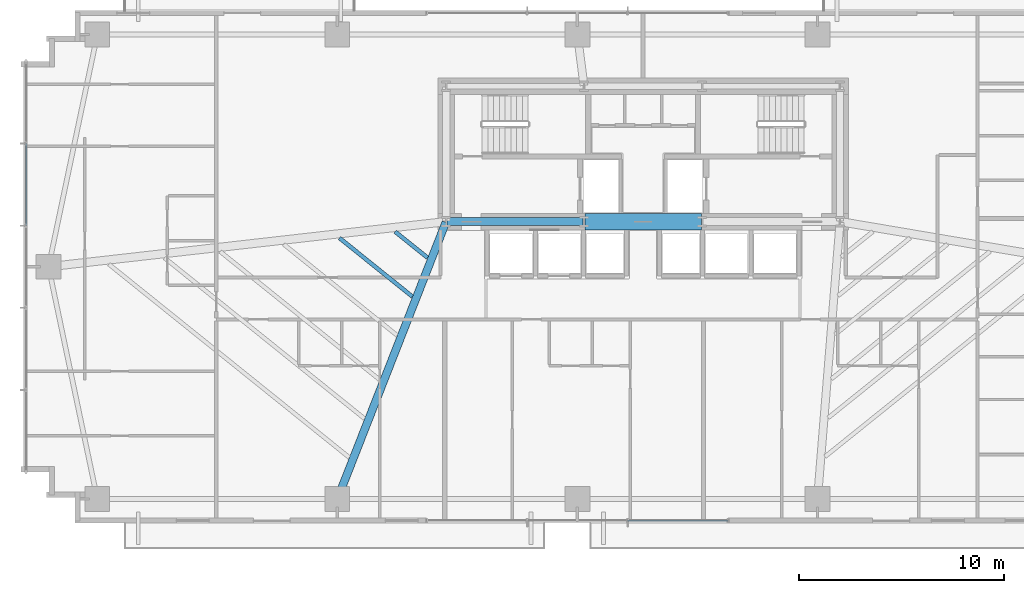
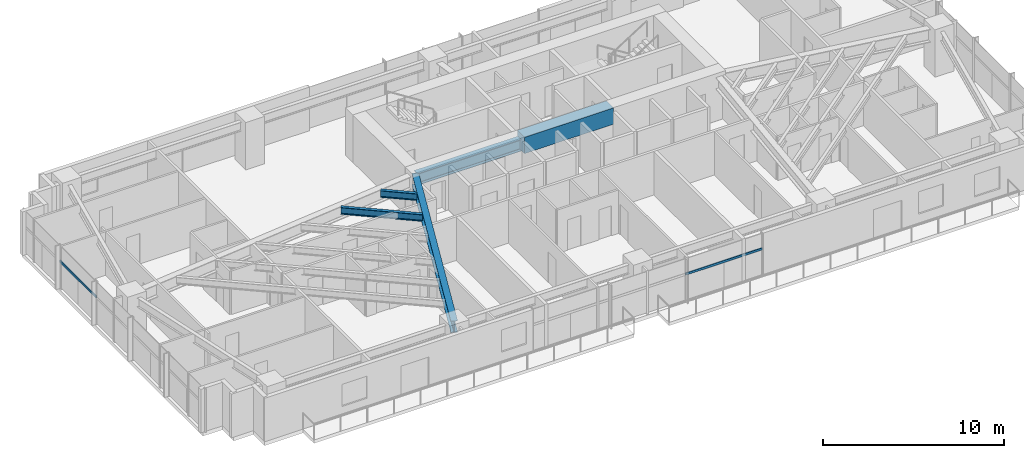
# One storey, part 7 of 25: 5 beams, 2 members, 2 elements without a shape of their own.
"""IFC4 building model written with IfcOpenShell, lengths in metres."""

from ifc_helpers import new_model, si_unit, direction, frame, origin, origin_2d, place, context, subcontext, project, spatial, rectangle, hollow_rectangle, i_section, extrude, source, transform, mapped, material, material_profile, profile_set, type_object, type_shapes, element, aggregate, save


model = new_model("IFC4")

# Units and contexts
model_context = context("Model", 3, precision=1e-05, world=origin(), true_north=direction((0.0, 1.0)))
body_context = subcontext(model_context, "Body", "Model", "MODEL_VIEW")
ifc_project = project(units=[si_unit("LENGTHUNIT", "METRE"), si_unit("AREAUNIT", "SQUARE_METRE"), si_unit("VOLUMEUNIT", "CUBIC_METRE"), si_unit("PLANEANGLEUNIT", "RADIAN"), si_unit("MASSUNIT", "GRAM", prefix="KILO")], contexts=[model_context])

# Site, building, storey
site_placement = place(None, origin())
site = spatial("IfcSite", under=ifc_project, at=site_placement, CompositionType="ELEMENT")
building_placement = place(site_placement, origin())
building = spatial("IfcBuilding", under=site, at=building_placement, Name="Astriad Promenade Condominiums", CompositionType="ELEMENT")
storey_placement = place(building_placement, frame((0.0, 0.0, 42.199951171875)))
storey = spatial("IfcBuildingStorey", under=building, at=storey_placement, Name="L11", CompositionType="ELEMENT", Elevation=42.199951171875)

# Beams
ifc_material_1 = material(Name="Steel ASTM A992 Grade 50", Category="steel")
ifc_material_profile_1 = material_profile(ifc_material_1, i_section(OverallWidth=0.3837890625, OverallDepth=0.785888671875, WebThickness=0.019775390625, FlangeThickness=0.033447265625, FilletRadius=0.021484375, at=origin_2d()), Name="W30X211")
ifc_profile_set_1 = profile_set([ifc_material_profile_1], Name="Steel ASTM A992 Grade 50")
beam_type_1 = type_object("IfcBeamType", Name="STEEL FLOOR GIRDER W30X211", PredefinedType="BEAM", material=ifc_profile_set_1)
shared_shape_1 = source(origin(), body_context, "Body", "SweptSolid", [
    extrude(i_section(OverallWidth=0.3837890625, OverallDepth=0.785888671875, WebThickness=0.019775390625, FlangeThickness=0.033447265625, FilletRadius=0.021484375, at=origin_2d()), origin(), (0.0, 0.0, 1.0), 6.64013671875),
])
beam_1_placement = place(storey_placement, frame((26.43994140625, 17.39990234375, 2.547119140625), z_axis=(1.0, 0.0, 0.0), x_axis=(0.0, 1.0, 0.0)))
element("IfcBeam", 1, at=beam_1_placement, inside=storey, type_object=beam_type_1, Name="Core Ring Beam CG-S1-L11", PredefinedType="BEAM", context=body_context, shape_type="MappedRepresentation", body=[
    mapped(shared_shape_1, transform((0.0, 0.0, 0.0), scale=1.0)),
])
ifc_material_2 = material(Name="Concrete C80/95", Category="concrete")
ifc_material_profile_2 = material_profile(ifc_material_2, rectangle(XDim=0.800048828125, YDim=1.10009765625, at=origin_2d()), Name="RC-BM-800X1100")
ifc_profile_set_2 = profile_set([ifc_material_profile_2], Name="Concrete C80/95")
beam_type_2 = type_object("IfcBeamType", Name="CONCRETE CORE COUPLING LINTEL 800X1100", PredefinedType="LINTEL", material=ifc_profile_set_2)
shared_shape_2 = source(origin(), body_context, "Body", "SweptSolid", [
    extrude(rectangle(XDim=0.800048828125, YDim=1.10009765625, at=origin_2d()), origin(), (0.0, 0.0, 1.0), 5.68017578125),
])
type_shapes(beam_type_2, [shared_shape_2])
beam_2_placement = place(storey_placement, frame((33.159912109375, 17.39990234375, 2.630126953125), z_axis=(1.0, 0.0, 0.0), x_axis=(0.0, 1.0, 0.0)))
element("IfcBeam", 2, at=beam_2_placement, inside=storey, type_object=beam_type_2, Name="Core Ring Beam CG-S2-L11", PredefinedType="LINTEL", context=body_context, shape_type="MappedRepresentation", body=[
    mapped(shared_shape_2, transform((0.0, 0.0, 0.0), scale=1.0)),
])
shared_shape_3 = source(origin(), body_context, "Body", "SweptSolid", [
    extrude(i_section(OverallWidth=0.3837890625, OverallDepth=0.785888671875, WebThickness=0.019775390625, FlangeThickness=0.033447265625, FilletRadius=0.021484375, at=origin_2d()), origin(), (0.0, 0.0, 1.0), 14.44189453125),
])
type_shapes(beam_type_1, [shared_shape_1, shared_shape_3])
beam_3_placement = place(storey_placement, frame((21.114501953125, 3.917236328125, 2.547119140625), z_axis=(0.364981228757, 0.931014877784, 0.0), x_axis=(-0.931014877784, 0.364981228757, 0.0)))
element("IfcBeam", 3, at=beam_3_placement, inside=storey, type_object=beam_type_1, Name="Primary Floor Girder PG-W2-L11", PredefinedType="BEAM", context=body_context, shape_type="MappedRepresentation", body=[
    mapped(shared_shape_3, transform((0.0, 0.0, 0.0), scale=1.0)),
])
ifc_material_profile_3 = material_profile(ifc_material_1, i_section(OverallWidth=0.19287109375, OverallDepth=0.466064453125, WebThickness=0.011474609375, FlangeThickness=0.01904296875, FilletRadius=0.01513671875, at=origin_2d()), Name="W18X65")
ifc_profile_set_3 = profile_set([ifc_material_profile_3], Name="Steel ASTM A992 Grade 50")
beam_type_3 = type_object("IfcBeamType", Name="STEEL FLOOR JOIST W18X65", PredefinedType="JOIST", material=ifc_profile_set_3)
shared_shape_4 = source(origin(), body_context, "Body", "SweptSolid", [
    extrude(i_section(OverallWidth=0.19287109375, OverallDepth=0.466064453125, WebThickness=0.011474609375, FlangeThickness=0.01904296875, FilletRadius=0.01513671875, at=origin_2d()), origin(), (0.0, 0.0, 1.0), 4.555419921875),
])
beam_4_placement = place(storey_placement, frame((21.201416015625, 16.600830078125, 2.70703125), z_axis=(0.779365920634, -0.626569039894, 0.0), x_axis=(0.626569039894, 0.779365920634, 0.0)))
element("IfcBeam", 4, at=beam_4_placement, inside=storey, type_object=beam_type_3, Name="Secondary Composite Floor Joist JW1-5-L11", PredefinedType="JOIST", context=body_context, shape_type="MappedRepresentation", body=[
    mapped(shared_shape_4, transform((0.0, 0.0, 0.0), scale=1.0)),
])
shared_shape_5 = source(origin(), body_context, "Body", "SweptSolid", [
    extrude(i_section(OverallWidth=0.19287109375, OverallDepth=0.466064453125, WebThickness=0.011474609375, FlangeThickness=0.01904296875, FilletRadius=0.01513671875, at=origin_2d()), origin(), (0.0, 0.0, 1.0), 2.02587890625),
])
type_shapes(beam_type_3, [shared_shape_4, shared_shape_5])
beam_5_placement = place(storey_placement, frame((23.914794921875, 16.90869140625, 2.70703125), z_axis=(0.779373362939, -0.626559782576, 0.0), x_axis=(0.626559782576, 0.779373362939, 0.0)))
element("IfcBeam", 5, at=beam_5_placement, inside=storey, type_object=beam_type_3, Name="Secondary Composite Floor Joist JW1-6-L11", PredefinedType="JOIST", context=body_context, shape_type="MappedRepresentation", body=[
    mapped(shared_shape_5, transform((0.0, 0.0, 0.0), scale=1.0)),
])

# Curtain wall, member
ifc_material_3 = material(Name="Anodised aluminium Black Dark Glass Unitised", Category="aluminium")
curtain_wall_type = type_object("IfcCurtainWallType", Name="CW-B1-DARK", PredefinedType="USERDEFINED", material=ifc_material_3)
curtain_wall_1_placement = place(storey_placement, origin())
curtain_wall_1 = element("IfcCurtainWall", 6, at=curtain_wall_1_placement, inside=storey, type_object=curtain_wall_type, Name="CW-L11-W", ObjectType="UNITISED_CURTAIN_WALL", PredefinedType="USERDEFINED")
ifc_material_4 = material(Name="Anodised aluminium 6063-T6 Black", Category="aluminium")
ifc_material_profile_4 = material_profile(ifc_material_4, hollow_rectangle(XDim=0.074951171875, YDim=0.14990234375, WallThickness=0.004150390625, at=origin_2d()), Name="ALU-TRN-75X150")
ifc_profile_set_4 = profile_set([ifc_material_profile_4], Name="Anodised aluminium 6063-T6 Black")
member_type = type_object("IfcMemberType", Name="TRN-ALU-TRN-75X150", PredefinedType="USERDEFINED", material=ifc_profile_set_4)
shared_shape_6 = source(origin(), body_context, "Body", "SweptSolid", [
    extrude(hollow_rectangle(XDim=0.074951171875, YDim=0.14990234375, WallThickness=0.004150390625, at=origin_2d()), origin(), (0.0, 0.0, 1.0), 4.0),
])
member_1_placement = place(storey_placement, frame((5.929931640625, 17.199951171875, 1.82275390625), z_axis=(0.0, 1.0, 0.0), x_axis=(-1.0, 0.0, 0.0)))
member_1 = element("IfcMember", 7, at=member_1_placement, type_object=member_type, Name="CW-L11-W-TRN-03-0", ObjectType="TRANSOM", PredefinedType="USERDEFINED", context=body_context, shape_type="MappedRepresentation", body=[
    mapped(shared_shape_6, transform((0.0, 0.0, 0.0), scale=1.0)),
])
aggregate(curtain_wall_1, [member_1])

curtain_wall_2_placement = place(storey_placement, origin())
curtain_wall_2 = element("IfcCurtainWall", 8, at=curtain_wall_2_placement, inside=storey, type_object=curtain_wall_type, Name="CW-L11-S", ObjectType="UNITISED_CURTAIN_WALL", PredefinedType="USERDEFINED")
shared_shape_7 = source(origin(), body_context, "Body", "SweptSolid", [
    extrude(hollow_rectangle(XDim=0.074951171875, YDim=0.14990234375, WallThickness=0.004150390625, at=origin_2d()), origin(), (0.0, 0.0, 1.0), 4.89990234375),
])
type_shapes(member_type, [shared_shape_6, shared_shape_7])
member_2_placement = place(storey_placement, frame((40.14990234375, 2.830078125, 1.82275390625), z_axis=(-1.0, 0.0, 0.0), x_axis=(0.0, -1.0, 0.0)))
member_2 = element("IfcMember", 9, at=member_2_placement, type_object=member_type, Name="CW-L11-S-TRN-00-0", ObjectType="TRANSOM", PredefinedType="USERDEFINED", context=body_context, shape_type="MappedRepresentation", body=[
    mapped(shared_shape_7, transform((0.0, 0.0, 0.0), scale=1.0)),
])
aggregate(curtain_wall_2, [member_2])

save(model, "model.ifc")
